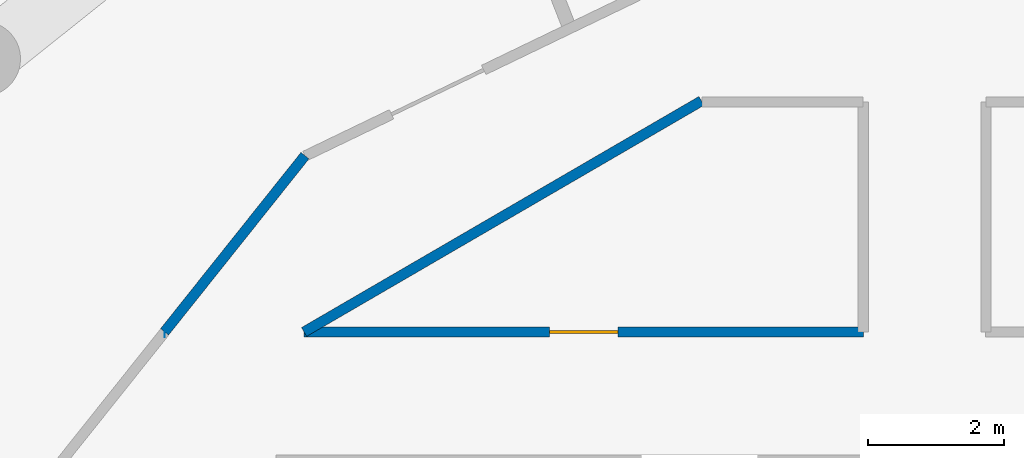
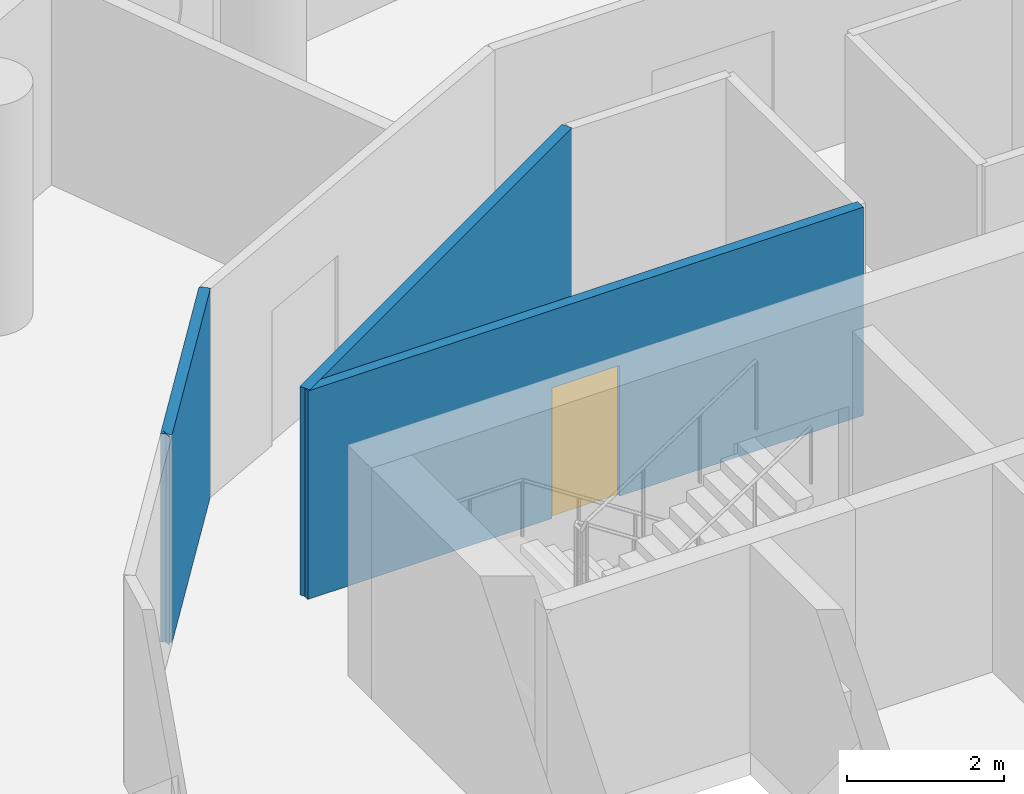
# One storey, part 6 of 11: 4 walls, 1 door, 1 opening.
"""IFC4 building model written with IfcOpenShell, lengths in metres."""

from ifc_helpers import new_model, si_unit, direction, frame, frame_2d, origin, place, context, subcontext, project, spatial, rectangle, extrude, material, layer, layer_set, type_object, element, fill, save


model = new_model("IFC4")

# Units and contexts
model_context = context("Model", 3, precision=1e-05, world=origin(), true_north=direction((0.0, 1.0)))
body_context = subcontext(model_context, "Body", "Model", "MODEL_VIEW")
ifc_project = project(units=[si_unit("LENGTHUNIT", "METRE"), si_unit("AREAUNIT", "SQUARE_METRE"), si_unit("VOLUMEUNIT", "CUBIC_METRE"), si_unit("PLANEANGLEUNIT", "RADIAN"), si_unit("MASSUNIT", "GRAM", prefix="KILO")], contexts=[model_context])

# Site, building, storey
site_placement = place(None, origin())
site = spatial("IfcSite", under=ifc_project, at=site_placement, CompositionType="ELEMENT")
building_placement = place(site_placement, origin())
building = spatial("IfcBuilding", under=site, at=building_placement, Name="Tracery Tower", CompositionType="ELEMENT")
storey_placement = place(building_placement, frame((0.0, 0.0, 238.199951171875)))
storey = spatial("IfcBuildingStorey", under=building, at=storey_placement, Name="L61", CompositionType="ELEMENT", Elevation=238.199951171875)

# Wall
ifc_material_1 = material(Name="Plasterboard on steel studs", Category="steel")
ifc_layer = layer(ifc_material_1, 0.14990234375)
ifc_layer_set = layer_set([ifc_layer], Name="Partition 150 corridor wall")
wall_type = type_object("IfcWallType", Name="Partition 150 corridor wall", PredefinedType="PARTITIONING", material=ifc_layer_set)
wall_1_placement = place(storey_placement, frame((-9.092041015625, 8.800048828125, 0.0), z_axis=(0.0, 0.0, 1.0), x_axis=(0.864470922103, 0.502682827277, 0.0)))
element("IfcWall", 1, at=wall_1_placement, inside=storey, type_object=wall_type, Name="Corridor wall RC1-001", PredefinedType="PARTITIONING", context=body_context, shape_type="SweptSolid", body=[
    extrude(rectangle(XDim=6.7353515625, YDim=0.14990234375, at=frame_2d((3.36767578125, 0.0))), origin(), (0.0, 0.0, 1.0), 3.25),
])

# Wall, opening, door
wall_2_placement = place(storey_placement, frame((-9.092041015625, 8.800048828125, 0.0), z_axis=(0.0, 0.0, 1.0), x_axis=(1.0, 0.0, 0.0)))
wall_2 = element("IfcWall", 2, at=wall_2_placement, inside=storey, type_object=wall_type, Name="Corridor wall RC1-002", PredefinedType="PARTITIONING", context=body_context, shape_type="SweptSolid", body=[
    extrude(rectangle(XDim=8.196044921875, YDim=0.14990234375, at=frame_2d((4.09814453125, 0.0))), origin(), (0.0, 0.0, 1.0), 3.25),
])
opening_placement = place(wall_2_placement, frame((3.597900390625, 0.0, 0.0)))
opening = element("IfcOpeningElement", 3, at=opening_placement, cuts=wall_2, Name="Opening RC1-01", PredefinedType="OPENING", context=body_context, shape_type="SweptSolid", body=[
    extrude(rectangle(XDim=1.0, YDim=2.0400390625, at=frame_2d((0.5, 1.02001953125))), frame((0.0, 0.074951171875, 0.0), z_axis=(0.0, -1.0, 0.0), x_axis=(1.0, 0.0, 0.0)), (0.0, 0.0, 1.0), 0.14990234375),
])
ifc_material_2 = material(Name="Timber door leaf", Category="wood")
door_type = type_object("IfcDoorType", Name="Door communal room 1000", OperationType="NOTDEFINED", PredefinedType="DOOR", material=ifc_material_2)
door_placement = place(opening_placement, origin())
door = element("IfcDoor", 4, at=door_placement, inside=storey, type_object=door_type, Name="Communal room door RC1-01", OperationType="SINGLE_SWING_RIGHT", OverallHeight=2.0400390625, OverallWidth=1.0, PredefinedType="DOOR", context=body_context, shape_type="SweptSolid", body=[
    extrude(rectangle(XDim=1.0, YDim=2.0400390625, at=frame_2d((0.5, 1.02001953125))), frame((0.0, 0.02490234375, 0.0), z_axis=(0.0, -1.0, 0.0), x_axis=(1.0, 0.0, 0.0)), (0.0, 0.0, 1.0), 0.050048828125),
])
fill(opening, door)

# Walls
wall_3_placement = place(storey_placement, frame((-11.134033203125, 8.800048828125, 0.0), z_axis=(0.0, 0.0, 1.0), x_axis=(-1.0, 0.0, 0.0)))
element("IfcWall", 5, at=wall_3_placement, inside=storey, type_object=wall_type, Name="Corridor wall RC1-009", PredefinedType="PARTITIONING", context=body_context, shape_type="SweptSolid", body=[
    extrude(rectangle(XDim=0.0029296875, YDim=0.14990234375, at=frame_2d((0.00146484375, 0.0))), origin(), (0.0, 0.0, 1.0), 3.25),
])
wall_4_placement = place(storey_placement, frame((-11.135986328125, 8.802001953125, 0.0), z_axis=(0.0, 0.0, 1.0), x_axis=(0.623151397235, 0.782101231379, 0.0)))
element("IfcWall", 6, at=wall_4_placement, inside=storey, type_object=wall_type, Name="Corridor wall RC1-010", PredefinedType="PARTITIONING", context=body_context, shape_type="SweptSolid", body=[
    extrude(rectangle(XDim=3.30078125, YDim=0.14990234375, at=frame_2d((1.650390625, 0.0))), origin(), (0.0, 0.0, 1.0), 3.25),
])

save(model, "model.ifc")
